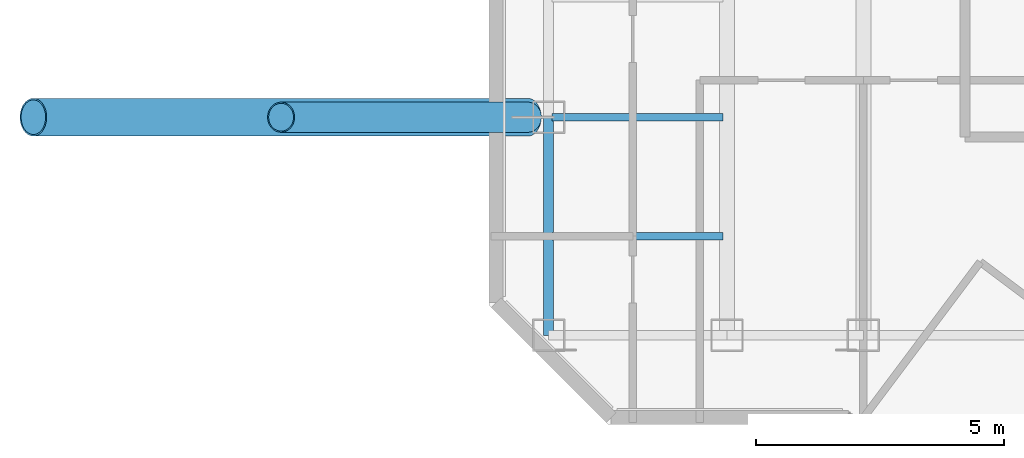
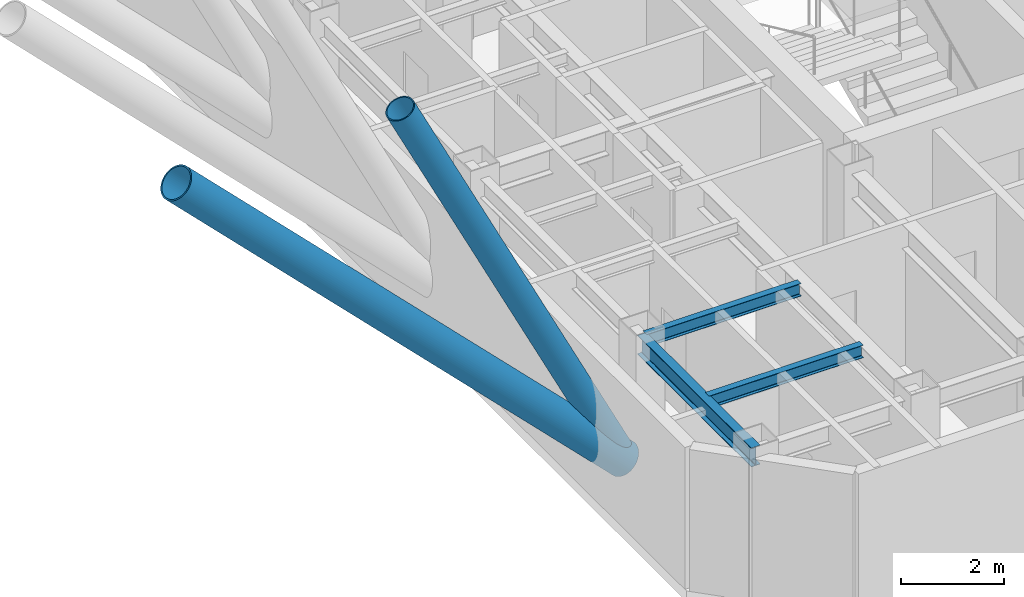
# One storey, part 3 of 21: 3 beams, 2 members.
"""IFC4 building model written with IfcOpenShell, lengths in metres."""

from ifc_helpers import new_model, si_unit, direction, frame, origin, origin_2d, place, context, subcontext, project, spatial, hollow_circle, i_section, extrude, material, material_profile, profile_set, type_object, element, save


model = new_model("IFC4")

# Units and contexts
model_context = context("Model", 3, precision=1e-05, world=origin(), true_north=direction((0.0, 1.0)))
body_context = subcontext(model_context, "Body", "Model", "MODEL_VIEW")
ifc_project = project(units=[si_unit("LENGTHUNIT", "METRE"), si_unit("AREAUNIT", "SQUARE_METRE"), si_unit("VOLUMEUNIT", "CUBIC_METRE"), si_unit("PLANEANGLEUNIT", "RADIAN"), si_unit("MASSUNIT", "GRAM", prefix="KILO")], contexts=[model_context])

# Site, building, storey
site_placement = place(None, origin())
site = spatial("IfcSite", under=ifc_project, at=site_placement, CompositionType="ELEMENT")
building_placement = place(site_placement, origin())
building = spatial("IfcBuilding", under=site, at=building_placement, Name="Hatsunagi Terrace Concourse", CompositionType="ELEMENT")
storey_placement = place(building_placement, frame((0.0, 0.0, 246.75)))
storey = spatial("IfcBuildingStorey", under=building, at=storey_placement, Name="L65", CompositionType="ELEMENT", Elevation=246.75)

# Beams
ifc_material_1 = material(Name="Steel SN490B", Category="steel")
ifc_material_profile_1 = material_profile(ifc_material_1, i_section(OverallWidth=0.14990234375, OverallDepth=0.300048828125, WebThickness=0.006591796875, FlangeThickness=0.009033203125, FilletRadius=0.010986328125, at=origin_2d()), Name="H-300x150x6.5x9")
ifc_profile_set_1 = profile_set([ifc_material_profile_1], Name="Steel SN490B")
beam_type_1 = type_object("IfcBeamType", Name="OfficeJoist_H_300x150", PredefinedType="JOIST", material=ifc_profile_set_1)
for number, where, z_axis, x_axis, name in (
    (1, (19.264892578125, 27.199951171875, 3.199951171875), (1.0, 0.0, 0.0), (0.0, 1.0, 0.0), "Beam J-03 J-L65-W-19-272"),
    (2, (19.264892578125, 29.60009765625, 3.199951171875), (1.0, 0.0, 0.0), (0.0, 1.0, 0.0), "Beam J-03 J-L65-W-19-296"),
):
    element("IfcBeam", number, at=place(storey_placement, frame(where, z_axis=z_axis, x_axis=x_axis)), inside=storey, type_object=beam_type_1, Name=name, PredefinedType="JOIST", context=body_context, shape_type="SweptSolid", body=[
        extrude(i_section(OverallWidth=0.14990234375, OverallDepth=0.300048828125, WebThickness=0.006591796875, FlangeThickness=0.009033203125, FilletRadius=0.010986328125, at=origin_2d()), origin(), (0.0, 0.0, 1.0), 3.4501953125),
    ])
ifc_material_2 = material(Name="Steel SN490B", Category="steel")
ifc_material_profile_2 = material_profile(ifc_material_2, i_section(OverallWidth=0.199951171875, OverallDepth=0.449951171875, WebThickness=0.009033203125, FlangeThickness=0.013916015625, FilletRadius=0.01611328125, at=origin_2d()), Name="H-450x200x9x14")
ifc_profile_set_2 = profile_set([ifc_material_profile_2], Name="Steel SN490B")
beam_type_2 = type_object("IfcBeamType", Name="PerimeterSpandrel_H_450x200", PredefinedType="SPANDREL", material=ifc_profile_set_2)
beam_placement = place(storey_placement, frame((19.199951171875, 25.199951171875, 3.125), z_axis=(0.0, 1.0, 0.0), x_axis=(-1.0, 0.0, 0.0)))
element("IfcBeam", 3, at=beam_placement, inside=storey, type_object=beam_type_2, Name="Beam SP-02 BM-L65-NS-19-25", PredefinedType="SPANDREL", context=body_context, shape_type="SweptSolid", body=[
    extrude(i_section(OverallWidth=0.199951171875, OverallDepth=0.449951171875, WebThickness=0.009033203125, FlangeThickness=0.013916015625, FilletRadius=0.01611328125, at=origin_2d()), origin(), (0.0, 0.0, 1.0), 4.400146484375),
])

# Members
ifc_material_3 = material(Name="Steel SN490B", Category="steel")
ifc_material_profile_3 = material_profile(ifc_material_3, hollow_circle(Radius=0.3046875, WallThickness=0.02490234375, at=origin_2d()), Name="CHS-609.6x25")
ifc_profile_set_3 = profile_set([ifc_material_profile_3], Name="Steel SN490B")
member_type_1 = type_object("IfcMemberType", Name="SkyLoungeMidRaker_CHS_609x25", PredefinedType="STRUT", material=ifc_profile_set_3)
member_1_placement = place(storey_placement, frame((18.780029296875, 29.60009765625, 0.550048828125), z_axis=(-0.4457793938, 0.0, 0.895142855674), x_axis=(0.0, -1.0, 0.0)))
element("IfcMember", 4, at=member_1_placement, inside=storey, type_object=member_type_1, Name="Sky Lounge Mid Raking Strut SLS-02 #1", PredefinedType="STRUT", context=body_context, shape_type="SweptSolid", body=[
    extrude(hollow_circle(Radius=0.3046875, WallThickness=0.02490234375, at=origin_2d()), origin(), (0.0, 0.0, 1.0), 11.17138671875),
])
ifc_material_4 = material(Name="Steel SN490C", Category="steel")
ifc_material_profile_4 = material_profile(ifc_material_4, hollow_circle(Radius=0.381103515625, WallThickness=0.031982421875, at=origin_2d()), Name="CHS-762x32")
ifc_profile_set_4 = profile_set([ifc_material_profile_4], Name="Steel SN490C")
member_type_2 = type_object("IfcMemberType", Name="SkyLoungeOuterRaker_CHS_762x32", PredefinedType="STRUT", material=ifc_profile_set_4)
member_2_placement = place(storey_placement, frame((18.780029296875, 29.60009765625, 0.550048828125), z_axis=(-0.706397920074, 0.0, 0.70781493239), x_axis=(0.0, -1.0, 0.0)))
element("IfcMember", 5, at=member_2_placement, inside=storey, type_object=member_type_2, Name="Sky Lounge Outer Raking Strut SLS-01 #1", PredefinedType="STRUT", context=body_context, shape_type="SweptSolid", body=[
    extrude(hollow_circle(Radius=0.381103515625, WallThickness=0.031982421875, at=origin_2d()), origin(), (0.0, 0.0, 1.0), 14.1279296875),
])

save(model, "model.ifc")
